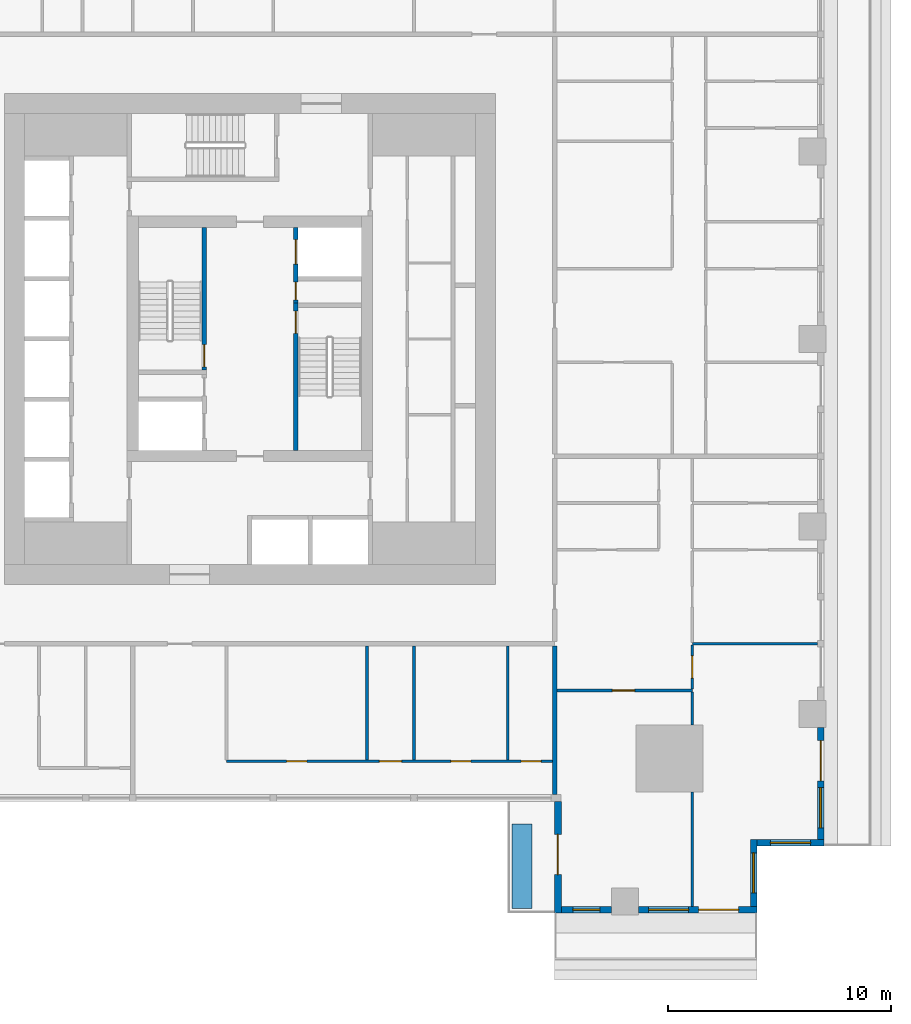
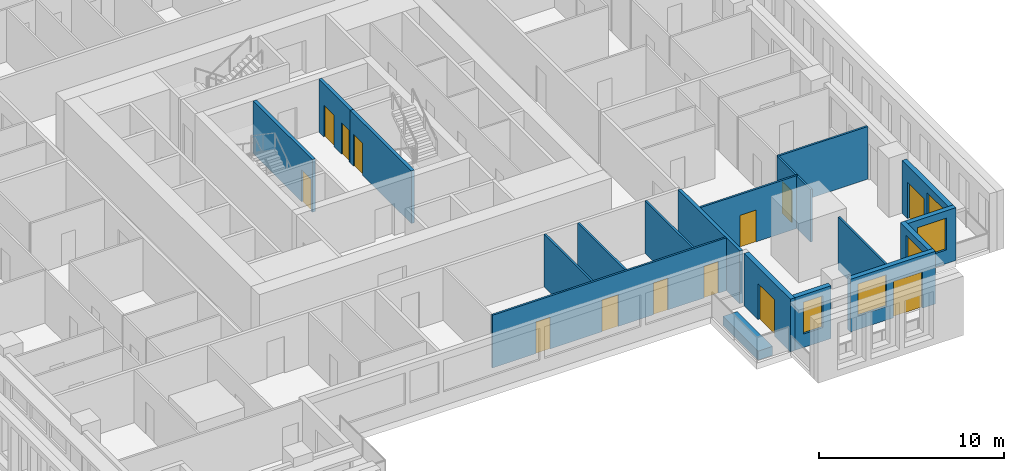
# One storey, part 4 of 14: 20 walls, 13 doors, 5 windows, 18 openings.
"""IFC4 building model written with IfcOpenShell, lengths in metres."""

import ifcopenshell
import ifcopenshell.guid

model = None  # the IFC model being written
_history = None  # IfcOwnerHistory: only IFC2X3 demands one
_inside = {}  # id of a spatial element -> (the spatial element, [elements in it])
_under = {}  # id of a project, library or spatial element -> (it, [spatial elements below it])
_declared = {}  # id of a project -> (the project, [libraries it declares])
_typed = {}  # id of a type object -> (the type object, [elements of that type])
_made_of = {}  # id of a material, layer set ... -> (it, [elements and type objects made of it])


def new_model(schema):
    """Start an empty IFC model of exactly this schema.

    Asked for "IFC4X3", IfcOpenShell would pick the latest addendum, in which some entities
    have other attributes; the version numbers below select the first issue.
    IFC2X3 requires an IfcOwnerHistory on every rooted entity: one is made here for all.
    """
    global model, _history
    if schema == "IFC4X3":
        model = ifcopenshell.file(schema_version=(4, 3, 0, 0))
    else:
        model = ifcopenshell.file(schema=schema)
    _inside.clear()
    _under.clear()
    _declared.clear()
    _typed.clear()
    _made_of.clear()
    _history = None
    if model.schema == "IFC2X3":
        org = make("IfcOrganization", Name="unknown")
        user = make(
            "IfcPersonAndOrganization",
            ThePerson=make("IfcPerson", FamilyName="unknown"),
            TheOrganization=org,
        )
        app = make(
            "IfcApplication",
            ApplicationDeveloper=org,
            Version="unknown",
            ApplicationFullName="unknown",
            ApplicationIdentifier="unknown",
        )
        _history = make(
            "IfcOwnerHistory",
            OwningUser=user,
            OwningApplication=app,
            ChangeAction="ADDED",
            CreationDate=0,
        )
    return model


def make(cls, **values):
    """One entity of the class cls with the attributes given. An attribute that is None is left unset."""
    return model.create_entity(
        cls, **{name: value for name, value in values.items() if value is not None}
    )


def rooted(cls, **values):
    """An entity with a GlobalId (a new one), such as an element, a storey or a relation."""
    return make(cls, GlobalId=ifcopenshell.guid.new(), OwnerHistory=_history, **values)


def si_unit(unit_type, name, prefix=None):
    """IfcSIUnit, for example si_unit("LENGTHUNIT", "METRE", prefix="MILLI")."""
    return make("IfcSIUnit", UnitType=unit_type, Prefix=prefix, Name=name)


def assignment(units):
    """IfcUnitAssignment: the units of a project."""
    return None if units is None else make("IfcUnitAssignment", Units=units)


def point(xyz):
    """IfcCartesianPoint."""
    return None if xyz is None else make("IfcCartesianPoint", Coordinates=xyz)


def direction(xyz):
    """IfcDirection."""
    return None if xyz is None else make("IfcDirection", DirectionRatios=xyz)


def frame(location, z_axis=None, x_axis=None):
    """IfcAxis2Placement3D, a coordinate frame: its origin and axes. An axis left out is left unset."""
    return make(
        "IfcAxis2Placement3D",
        Location=point(location),
        Axis=direction(z_axis),
        RefDirection=direction(x_axis),
    )


def frame_2d(location, x_axis=None):
    """IfcAxis2Placement2D, a coordinate frame in the plane: its origin and x axis."""
    return make(
        "IfcAxis2Placement2D", Location=point(location), RefDirection=direction(x_axis)
    )


def origin():
    """The frame at (0, 0, 0) with its axes left unset."""
    return frame((0.0, 0.0, 0.0))


def place(relative_to, where):
    """IfcLocalPlacement: puts the frame where relative to a parent placement (None: the world)."""
    return make(
        "IfcLocalPlacement", PlacementRelTo=relative_to, RelativePlacement=where
    )


def context(
    kind, dimensions, precision=None, world=None, true_north=None, identifier=None
):
    """IfcGeometricRepresentationContext, for example the 3D "Model" context."""
    return make(
        "IfcGeometricRepresentationContext",
        ContextIdentifier=identifier,
        ContextType=kind,
        CoordinateSpaceDimension=dimensions,
        Precision=precision,
        WorldCoordinateSystem=world,
        TrueNorth=true_north,
    )


def subcontext(parent, identifier, kind, view, scale=None):
    """IfcGeometricRepresentationSubContext, for example "Body" below "Model"."""
    return make(
        "IfcGeometricRepresentationSubContext",
        ContextIdentifier=identifier,
        ContextType=kind,
        ParentContext=parent,
        TargetScale=scale,
        TargetView=view,
    )


def project(units=None, contexts=None):
    """IfcProject with its units and contexts."""
    return rooted(
        "IfcProject",
        Name="project",
        RepresentationContexts=contexts,
        UnitsInContext=assignment(units),
    )


def spatial(cls, under=None, at=None, **own):
    """A site, building, storey or space (cls), placed at a placement, below another one or the project."""
    s = rooted(cls, ObjectPlacement=at, **own)
    if under is not None:
        _under.setdefault(under.id(), (under, []))[1].append(s)
    return s


def profile(cls, at=None, kind="AREA", **sizes):
    """A parametric profile (cls). Its sizes go by their IFC names, for example OverallWidth=200.0."""
    return make(cls, ProfileType=kind, Position=at, **sizes)


def rectangle(**sizes):
    """IfcRectangleProfileDef."""
    return profile("IfcRectangleProfileDef", **sizes)


def extrude(swept, where, along, depth):
    """IfcExtrudedAreaSolid: the profile swept, set in the frame where, extruded along a direction by depth."""
    return make(
        "IfcExtrudedAreaSolid",
        SweptArea=swept,
        Position=where,
        ExtrudedDirection=direction(along),
        Depth=depth,
    )


def shape(context_of_items, identifier, shape_type, items):
    """IfcShapeRepresentation: the items that make up one representation, for example the "Body"."""
    return make(
        "IfcShapeRepresentation",
        ContextOfItems=context_of_items,
        RepresentationIdentifier=identifier,
        RepresentationType=shape_type,
        Items=items,
    )


def material(Name=None, Category=None):
    """IfcMaterial."""
    return make("IfcMaterial", Name=Name, Category=Category)


def layer(
    of_material, thickness, ventilated=None, Name=None, Category=None, Priority=None
):
    """IfcMaterialLayer: one layer of a wall or slab, of a material (None: an air gap)."""
    return make(
        "IfcMaterialLayer",
        Material=of_material,
        LayerThickness=thickness,
        IsVentilated=ventilated,
        Name=Name,
        Category=Category,
        Priority=Priority,
    )


def layer_set(layers, Name=None):
    """IfcMaterialLayerSet."""
    return make("IfcMaterialLayerSet", MaterialLayers=layers, LayerSetName=Name)


def made_of(thing, what):
    """Note that an element or type object is made of a material, layer set ...; save() writes the relation."""
    if what is not None:
        _made_of.setdefault(what.id(), (what, []))[1].append(thing)
    return thing


def type_object(cls, material=None, **own):
    """A type object (cls), such as IfcWallType, which elements share."""
    return made_of(rooted(cls, **own), material)


def element(
    cls,
    number,
    at=None,
    inside=None,
    cuts=None,
    type_object=None,
    material=None,
    context=None,
    identifier="Body",
    shape_type=None,
    held_by="IfcProductDefinitionShape",
    body=None,
    shapes=None,
    **own,
):
    """One element of the class cls, such as IfcWall. Its Tag is "e" and its number.

    at: its placement. inside: the storey or other place that contains it. cuts: it is an
    opening in that element (IfcRelVoidsElement). A single representation is given by context,
    identifier, shape_type and body (its items); several are given by shapes. held_by: the class
    of the entity that holds the representations. save() writes the other relations.
    """
    e = rooted(cls, Tag="e%d" % number, ObjectPlacement=at, **own)
    if body is not None:
        shapes = [shape(context, identifier, shape_type, body)]
    if shapes is not None:
        e.Representation = make(held_by, Representations=shapes)
    if inside is not None:
        _inside.setdefault(inside.id(), (inside, []))[1].append(e)
    if cuts is not None:
        rooted(
            "IfcRelVoidsElement", RelatingBuildingElement=cuts, RelatedOpeningElement=e
        )
    if type_object is not None:
        _typed.setdefault(type_object.id(), (type_object, []))[1].append(e)
    return made_of(e, material)


def fill(opening, filler):
    """IfcRelFillsElement: the door or window that sits in an opening."""
    return rooted(
        "IfcRelFillsElement",
        RelatingOpeningElement=opening,
        RelatedBuildingElement=filler,
    )


def aggregate(whole, parts):
    """IfcRelAggregates: a whole, such as a stair, and the parts it consists of."""
    return rooted("IfcRelAggregates", RelatingObject=whole, RelatedObjects=parts)


def save(model, path):
    """Write the relations noted so far, then the file.

    IfcRelAggregates (storeys below a building ...), IfcRelContainedInSpatialStructure (elements
    in a storey), IfcRelDefinesByType, IfcRelAssociatesMaterial and IfcRelDeclares: one each for
    every whole, place, type object, material and project.
    """
    for whole, parts in _under.values():
        aggregate(whole, parts)
    for where, things in _inside.values():
        rooted(
            "IfcRelContainedInSpatialStructure",
            RelatedElements=things,
            RelatingStructure=where,
        )
    for kind, things in _typed.values():
        rooted("IfcRelDefinesByType", RelatedObjects=things, RelatingType=kind)
    for what, things in _made_of.values():
        rooted("IfcRelAssociatesMaterial", RelatedObjects=things, RelatingMaterial=what)
    for by, libraries in _declared.values():
        rooted("IfcRelDeclares", RelatingContext=by, RelatedDefinitions=libraries)
    model.write(path)


model = new_model("IFC4")

# Units and contexts
model_context = context("Model", 3, precision=1e-05, world=origin(), true_north=direction((0.0, 1.0)))
body_context = subcontext(model_context, "Body", "Model", "MODEL_VIEW")
ifc_project = project(units=[si_unit("LENGTHUNIT", "METRE"), si_unit("AREAUNIT", "SQUARE_METRE"), si_unit("VOLUMEUNIT", "CUBIC_METRE"), si_unit("PLANEANGLEUNIT", "RADIAN"), si_unit("MASSUNIT", "GRAM", prefix="KILO")], contexts=[model_context])

# Site, building, storey
site_placement = place(None, origin())
site = spatial("IfcSite", under=ifc_project, at=site_placement, CompositionType="ELEMENT")
building_placement = place(site_placement, origin())
building = spatial("IfcBuilding", under=site, at=building_placement, Name="Khepri Terraces", CompositionType="ELEMENT")
storey_placement = place(building_placement, frame((0.0, 0.0, 66.0)))
storey = spatial("IfcBuildingStorey", under=building, at=storey_placement, Name="L15", CompositionType="ELEMENT", Elevation=66.0)

# Wall, opening, door
ifc_material_1 = material(Name="Concrete C80/95", Category="concrete")
ifc_layer_1 = layer(ifc_material_1, 0.199951171875, Name="Concrete C80/95", Category="concrete")
ifc_layer_set_1 = layer_set([ifc_layer_1], Name="Concrete C80/95")
wall_type_1 = type_object("IfcWallType", Name="Core wall 200 C80/95", PredefinedType="SHEAR", material=ifc_layer_set_1)
wall_1_placement = place(storey_placement, frame((2.050048828125, -5.0, 0.0), z_axis=(0.0, 0.0, 1.0), x_axis=(0.0, 1.0, 0.0)))
wall_1 = element("IfcWall", 1, at=wall_1_placement, inside=storey, type_object=wall_type_1, Name="Core wall ST01 L15", PredefinedType="SHEAR", context=body_context, shape_type="SweptSolid", body=[
    extrude(rectangle(XDim=6.60009765625, YDim=0.199951171875, at=frame_2d((3.300048828125, 0.0))), origin(), (0.0, 0.0, 1.0), 3.47998046875),
])
opening_1_placement = place(wall_1_placement, frame((5.25, 0.0, 0.0)))
opening_1 = element("IfcOpeningElement", 2, at=opening_1_placement, cuts=wall_1, Name="Opening L15-C10", PredefinedType="OPENING", context=body_context, shape_type="SweptSolid", body=[
    extrude(rectangle(XDim=1.0, YDim=2.10009765625, at=frame_2d((0.5, 1.050048828125))), frame((0.0, 0.10986328125, 0.0), z_axis=(0.0, -1.0, 0.0), x_axis=(1.0, 0.0, 0.0)), (0.0, 0.0, 1.0), 0.219970703125),
])
ifc_material_2 = material(Name="Painted steel", Category="steel")
door_type_1 = type_object("IfcDoorType", Name="DR-CORE-STAIR-1000", OperationType="NOTDEFINED", PredefinedType="DOOR", material=ifc_material_2)
door_1_placement = place(opening_1_placement, frame((1.0, 0.0, 0.0), z_axis=(0.0, 0.0, 1.0), x_axis=(-1.0, 0.0, 0.0)))
door_1 = element("IfcDoor", 3, at=door_1_placement, inside=storey, type_object=door_type_1, Name="Stair door L15-C10", OperationType="SINGLE_SWING_LEFT", OverallHeight=2.10009765625, OverallWidth=1.0, PredefinedType="DOOR", context=body_context, shape_type="SweptSolid", body=[
    extrude(rectangle(XDim=1.0, YDim=2.10009765625, at=frame_2d((0.5, 1.050048828125))), frame((0.0, 0.02490234375, 0.0), z_axis=(0.0, -1.0, 0.0), x_axis=(1.0, 0.0, 0.0)), (0.0, 0.0, 1.0), 0.050048828125),
])
fill(opening_1, door_1)

wall_2_placement = place(storey_placement, frame((-2.050048828125, -1.39990234375, 0.0), z_axis=(0.0, 0.0, 1.0), x_axis=(0.0, 1.0, 0.0)))
wall_2 = element("IfcWall", 4, at=wall_2_placement, inside=storey, type_object=wall_type_1, Name="Core wall ST03 L15", PredefinedType="SHEAR", context=body_context, shape_type="SweptSolid", body=[
    extrude(rectangle(XDim=6.39990234375, YDim=0.199951171875, at=frame_2d((3.199951171875, 0.0))), origin(), (0.0, 0.0, 1.0), 3.47998046875),
])
opening_2_placement = place(wall_2_placement, frame((0.14990234375, 0.0, 0.0)))
opening_2 = element("IfcOpeningElement", 5, at=opening_2_placement, cuts=wall_2, Name="Opening L15-C09", PredefinedType="OPENING", context=body_context, shape_type="SweptSolid", body=[
    extrude(rectangle(XDim=1.0, YDim=2.10009765625, at=frame_2d((0.5, 1.050048828125))), frame((0.0, 0.10986328125, 0.0), z_axis=(0.0, -1.0, 0.0), x_axis=(1.0, 0.0, 0.0)), (0.0, 0.0, 1.0), 0.219970703125),
])
door_2_placement = place(opening_2_placement, origin())
door_2 = element("IfcDoor", 6, at=door_2_placement, inside=storey, type_object=door_type_1, Name="Stair door L15-C09", OperationType="SINGLE_SWING_LEFT", OverallHeight=2.10009765625, OverallWidth=1.0, PredefinedType="DOOR", context=body_context, shape_type="SweptSolid", body=[
    extrude(rectangle(XDim=1.0, YDim=2.10009765625, at=frame_2d((0.5, 1.050048828125))), frame((0.0, 0.02490234375, 0.0), z_axis=(0.0, -1.0, 0.0), x_axis=(1.0, 0.0, 0.0)), (0.0, 0.0, 1.0), 0.050048828125),
])
fill(opening_2, door_2)

# Wall, openings, doors
wall_3_placement = place(storey_placement, frame((2.050048828125, 1.60009765625, 0.0), z_axis=(0.0, 0.0, 1.0), x_axis=(0.0, 1.0, 0.0)))
wall_3 = element("IfcWall", 7, at=wall_3_placement, inside=storey, type_object=wall_type_1, Name="Core wall SH15 L15", PredefinedType="SHEAR", context=body_context, shape_type="SweptSolid", body=[
    extrude(rectangle(XDim=3.39990234375, YDim=0.199951171875, at=frame_2d((1.699951171875, 0.0))), origin(), (0.0, 0.0, 1.0), 3.47998046875),
])
opening_3_placement = place(wall_3_placement, frame((1.75, 0.0, 0.0)))
opening_3 = element("IfcOpeningElement", 8, at=opening_3_placement, cuts=wall_3, Name="Opening L15-C07", PredefinedType="OPENING", context=body_context, shape_type="SweptSolid", body=[
    extrude(rectangle(XDim=1.10009765625, YDim=2.10009765625, at=frame_2d((0.550048828125, 1.050048828125))), frame((0.0, 0.10986328125, 0.0), z_axis=(0.0, -1.0, 0.0), x_axis=(1.0, 0.0, 0.0)), (0.0, 0.0, 1.0), 0.219970703125),
])
opening_4_placement = place(wall_3_placement, frame((0.14990234375, 0.0, 0.0)))
opening_4 = element("IfcOpeningElement", 9, at=opening_4_placement, cuts=wall_3, Name="Opening L15-C11", PredefinedType="OPENING", context=body_context, shape_type="SweptSolid", body=[
    extrude(rectangle(XDim=0.800048828125, YDim=2.10009765625, at=frame_2d((0.39990234375, 1.050048828125))), frame((0.0, 0.10986328125, 0.0), z_axis=(0.0, -1.0, 0.0), x_axis=(1.0, 0.0, 0.0)), (0.0, 0.0, 1.0), 0.219970703125),
])
ifc_material_3 = material(Name="Stainless steel 304", Category="steel")
door_type_2 = type_object("IfcDoorType", Name="DR-CORE-FF-LANDING-1100", OperationType="NOTDEFINED", PredefinedType="DOOR", material=ifc_material_3)
door_3_placement = place(opening_3_placement, origin())
door_3 = element("IfcDoor", 10, at=door_3_placement, inside=storey, type_object=door_type_2, Name="Firefighting lift landing door L15-C07", OperationType="SLIDING_TO_LEFT", OverallHeight=2.10009765625, OverallWidth=1.10009765625, PredefinedType="DOOR", context=body_context, shape_type="SweptSolid", body=[
    extrude(rectangle(XDim=1.10009765625, YDim=2.10009765625, at=frame_2d((0.550048828125, 1.050048828125))), frame((0.0, 0.02490234375, 0.0), z_axis=(0.0, -1.0, 0.0), x_axis=(1.0, 0.0, 0.0)), (0.0, 0.0, 1.0), 0.050048828125),
])
fill(opening_3, door_3)
door_type_3 = type_object("IfcDoorType", Name="DR-CORE-RISER-800", OperationType="NOTDEFINED", PredefinedType="DOOR", material=ifc_material_2)
door_4_placement = place(opening_4_placement, frame((0.800048828125, 0.0, 0.0), z_axis=(0.0, 0.0, 1.0), x_axis=(-1.0, 0.0, 0.0)))
door_4 = element("IfcDoor", 11, at=door_4_placement, inside=storey, type_object=door_type_3, Name="Riser door L15-C11", OperationType="SINGLE_SWING_RIGHT", OverallHeight=2.10009765625, OverallWidth=0.800048828125, PredefinedType="DOOR", context=body_context, shape_type="SweptSolid", body=[
    extrude(rectangle(XDim=0.800048828125, YDim=2.10009765625, at=frame_2d((0.39990234375, 1.050048828125))), frame((0.0, 0.02490234375, 0.0), z_axis=(0.0, -1.0, 0.0), x_axis=(1.0, 0.0, 0.0)), (0.0, 0.0, 1.0), 0.050048828125),
])
fill(opening_4, door_4)

# Wall
ifc_material_4 = material(Name="Fire-rated gypsum plasterboard partition, mineral wool")
ifc_layer_2 = layer(ifc_material_4, 0.199951171875, Name="Fire-rated gypsum plasterboard partition, mineral wool")
ifc_layer_set_2 = layer_set([ifc_layer_2], Name="Fire-rated gypsum plasterboard partition, mineral wool")
wall_type_2 = type_object("IfcWallType", Name="WL-CORR-200", PredefinedType="PARTITIONING", material=ifc_layer_set_2)
wall_4_placement = place(storey_placement, frame((13.64990234375, -20.419921875, 0.0), z_axis=(0.0, 0.0, 1.0), x_axis=(0.0, 1.0, 0.0)))
element("IfcWall", 12, at=wall_4_placement, inside=storey, type_object=wall_type_2, Name="Partition P-004 L15", PredefinedType="PARTITIONING", context=body_context, shape_type="SweptSolid", body=[
    extrude(rectangle(XDim=6.669921875, YDim=0.199951171875, at=frame_2d((3.3349609375, 0.0))), origin(), (0.0, 0.0, 1.0), 3.47998046875),
])

# Wall, opening, window
ifc_material_5 = material(Name="Precast concrete C50/60 warm stone", Category="masonry")
ifc_layer_3 = layer(ifc_material_5, 0.300048828125, Name="Precast concrete C50/60 warm stone", Category="masonry")
ifc_layer_set_3 = layer_set([ifc_layer_3], Name="Precast concrete C50/60 warm stone")
wall_type_3 = type_object("IfcWallType", Name="WL-EXT-PRECAST-300", PredefinedType="STANDARD", material=ifc_layer_set_3)
wall_5_placement = place(storey_placement, frame((22.719970703125, -22.570068359375, 0.0), z_axis=(0.0, 0.0, 1.0), x_axis=(1.0, 0.0, 0.0)))
wall_5 = element("IfcWall", 13, at=wall_5_placement, inside=storey, type_object=wall_type_3, Name="External wall L15 S", PredefinedType="STANDARD", context=body_context, shape_type="SweptSolid", body=[
    extrude(rectangle(XDim=3.0, YDim=0.300048828125, at=frame_2d((1.5, 0.0))), origin(), (0.0, 0.0, 1.0), 3.47998046875),
])
opening_5_placement = place(wall_5_placement, frame((0.60009765625, 0.0, 0.89990234375)))
opening_5 = element("IfcOpeningElement", 14, at=opening_5_placement, cuts=wall_5, Name="Opening W1", PredefinedType="OPENING", context=body_context, shape_type="SweptSolid", body=[
    extrude(rectangle(XDim=1.800048828125, YDim=2.10009765625, at=frame_2d((0.89990234375, 1.050048828125))), frame((0.0, 0.16015625, 0.0), z_axis=(0.0, -1.0, 0.0), x_axis=(1.0, 0.0, 0.0)), (0.0, 0.0, 1.0), 0.320068359375),
])
ifc_material_6 = material(Name="Clear glass", Category="glass")
window_type_1 = type_object("IfcWindowType", Name="WIN-RES-1800x2100", PartitioningType="SINGLE_PANEL", PredefinedType="WINDOW", material=ifc_material_6)
window_1_placement = place(opening_5_placement, origin())
window_1 = element("IfcWindow", 15, at=window_1_placement, inside=storey, type_object=window_type_1, Name="Window L15 S", OverallHeight=2.10009765625, OverallWidth=1.800048828125, PartitioningType="SINGLE_PANEL", PredefinedType="WINDOW", context=body_context, shape_type="SweptSolid", body=[
    extrude(rectangle(XDim=1.800048828125, YDim=2.10009765625, at=frame_2d((0.89990234375, 1.050048828125))), frame((0.0, 0.030029296875, 0.0), z_axis=(0.0, -1.0, 0.0), x_axis=(1.0, 0.0, 0.0)), (0.0, 0.0, 1.0), 0.06005859375),
])
fill(opening_5, window_1)

# Wall, openings, door, window
wall_6_placement = place(storey_placement, frame((25.570068359375, -22.419921875, 0.0), z_axis=(0.0, 0.0, 1.0), x_axis=(0.0, 1.0, 0.0)))
wall_6 = element("IfcWall", 16, at=wall_6_placement, inside=storey, type_object=wall_type_3, Name="External wall L15 E", PredefinedType="STANDARD", context=body_context, shape_type="SweptSolid", body=[
    extrude(rectangle(XDim=5.02001953125, YDim=0.300048828125, at=frame_2d((2.510009765625, 0.0))), origin(), (0.0, 0.0, 1.0), 3.47998046875),
])
opening_6_placement = place(wall_6_placement, frame((0.52001953125, 0.0, 0.89990234375)))
opening_6 = element("IfcOpeningElement", 17, at=opening_6_placement, cuts=wall_6, Name="Opening W1", PredefinedType="OPENING", context=body_context, shape_type="SweptSolid", body=[
    extrude(rectangle(XDim=1.800048828125, YDim=2.10009765625, at=frame_2d((0.89990234375, 1.050048828125))), frame((0.0, 0.16015625, 0.0), z_axis=(0.0, -1.0, 0.0), x_axis=(1.0, 0.0, 0.0)), (0.0, 0.0, 1.0), 0.320068359375),
])
opening_7_placement = place(wall_6_placement, frame((2.6201171875, 0.0, 0.0)))
opening_7 = element("IfcOpeningElement", 18, at=opening_7_placement, cuts=wall_6, Name="Opening ED-L15-01", PredefinedType="OPENING", context=body_context, shape_type="SweptSolid", body=[
    extrude(rectangle(XDim=1.800048828125, YDim=2.39990234375, at=frame_2d((0.89990234375, 1.199951171875))), frame((0.0, 0.16015625, 0.0), z_axis=(0.0, -1.0, 0.0), x_axis=(1.0, 0.0, 0.0)), (0.0, 0.0, 1.0), 0.320068359375),
])
ifc_material_7 = material(Name="Anodised aluminium bronze glazed door", Category="aluminium")
door_type_4 = type_object("IfcDoorType", Name="DR-BAL-SLIDE-1800x2400", OperationType="NOTDEFINED", PredefinedType="DOOR", material=ifc_material_7)
door_5_placement = place(opening_7_placement, origin())
door_5 = element("IfcDoor", 19, at=door_5_placement, inside=storey, type_object=door_type_4, Name="Balcony door L15 E", OperationType="SLIDING_TO_RIGHT", OverallHeight=2.39990234375, OverallWidth=1.800048828125, PredefinedType="DOOR", context=body_context, shape_type="SweptSolid", body=[
    extrude(rectangle(XDim=1.800048828125, YDim=2.39990234375, at=frame_2d((0.89990234375, 1.199951171875))), frame((0.0, 0.02490234375, 0.0), z_axis=(0.0, -1.0, 0.0), x_axis=(1.0, 0.0, 0.0)), (0.0, 0.0, 1.0), 0.050048828125),
])
fill(opening_7, door_5)
window_2_placement = place(opening_6_placement, origin())
window_2 = element("IfcWindow", 20, at=window_2_placement, inside=storey, type_object=window_type_1, Name="Window L15 E", OverallHeight=2.10009765625, OverallWidth=1.800048828125, PartitioningType="SINGLE_PANEL", PredefinedType="WINDOW", context=body_context, shape_type="SweptSolid", body=[
    extrude(rectangle(XDim=1.800048828125, YDim=2.10009765625, at=frame_2d((0.89990234375, 1.050048828125))), frame((0.0, 0.030029296875, 0.0), z_axis=(0.0, -1.0, 0.0), x_axis=(1.0, 0.0, 0.0)), (0.0, 0.0, 1.0), 0.06005859375),
])
fill(opening_6, window_2)

# Wall, opening, door
wall_7_placement = place(storey_placement, frame((13.800048828125, -20.719970703125, 0.0), z_axis=(0.0, 0.0, 1.0), x_axis=(0.0, -1.0, 0.0)))
wall_7 = element("IfcWall", 21, at=wall_7_placement, inside=storey, type_object=wall_type_3, Name="External wall L15 W", PredefinedType="STANDARD", context=body_context, shape_type="SweptSolid", body=[
    extrude(rectangle(XDim=5.0, YDim=0.300048828125, at=frame_2d((2.5, 0.0))), origin(), (0.0, 0.0, 1.0), 3.47998046875),
])
opening_8_placement = place(wall_7_placement, frame((1.47998046875, 0.0, 0.0)))
opening_8 = element("IfcOpeningElement", 22, at=opening_8_placement, cuts=wall_7, Name="Opening ED-L15-22", PredefinedType="OPENING", context=body_context, shape_type="SweptSolid", body=[
    extrude(rectangle(XDim=1.800048828125, YDim=2.39990234375, at=frame_2d((0.89990234375, 1.199951171875))), frame((0.0, 0.16015625, 0.0), z_axis=(0.0, -1.0, 0.0), x_axis=(1.0, 0.0, 0.0)), (0.0, 0.0, 1.0), 0.320068359375),
])
door_6_placement = place(opening_8_placement, origin())
door_6 = element("IfcDoor", 23, at=door_6_placement, inside=storey, type_object=door_type_4, Name="Balcony door L15 W", OperationType="SLIDING_TO_RIGHT", OverallHeight=2.39990234375, OverallWidth=1.800048828125, PredefinedType="DOOR", context=body_context, shape_type="SweptSolid", body=[
    extrude(rectangle(XDim=1.800048828125, YDim=2.39990234375, at=frame_2d((0.89990234375, 1.199951171875))), frame((0.0, 0.02490234375, 0.0), z_axis=(0.0, -1.0, 0.0), x_axis=(1.0, 0.0, 0.0)), (0.0, 0.0, 1.0), 0.050048828125),
])
fill(opening_8, door_6)

# Wall, opening, window
wall_8_placement = place(storey_placement, frame((13.949951171875, -25.570068359375, 0.0), z_axis=(0.0, 0.0, 1.0), x_axis=(1.0, 0.0, 0.0)))
wall_8 = element("IfcWall", 24, at=wall_8_placement, inside=storey, type_object=wall_type_3, Name="External wall L15 S", PredefinedType="STANDARD", context=body_context, shape_type="SweptSolid", body=[
    extrude(rectangle(XDim=2.25, YDim=0.300048828125, at=frame_2d((1.125, 0.0))), origin(), (0.0, 0.0, 1.0), 3.47998046875),
])
opening_9_placement = place(wall_8_placement, frame((0.52490234375, 0.0, 0.89990234375)))
opening_9 = element("IfcOpeningElement", 25, at=opening_9_placement, cuts=wall_8, Name="Opening W4", PredefinedType="OPENING", context=body_context, shape_type="SweptSolid", body=[
    extrude(rectangle(XDim=1.199951171875, YDim=2.10009765625, at=frame_2d((0.60009765625, 1.050048828125))), frame((0.0, 0.16015625, 0.0), z_axis=(0.0, -1.0, 0.0), x_axis=(1.0, 0.0, 0.0)), (0.0, 0.0, 1.0), 0.320068359375),
])
window_type_2 = type_object("IfcWindowType", Name="WIN-RES-1200x2100", PartitioningType="SINGLE_PANEL", PredefinedType="WINDOW", material=ifc_material_6)
window_3_placement = place(opening_9_placement, origin())
window_3 = element("IfcWindow", 26, at=window_3_placement, inside=storey, type_object=window_type_2, Name="Window L15 S", OverallHeight=2.10009765625, OverallWidth=1.199951171875, PartitioningType="SINGLE_PANEL", PredefinedType="WINDOW", context=body_context, shape_type="SweptSolid", body=[
    extrude(rectangle(XDim=1.199951171875, YDim=2.10009765625, at=frame_2d((0.60009765625, 1.050048828125))), frame((0.0, 0.030029296875, 0.0), z_axis=(0.0, -1.0, 0.0), x_axis=(1.0, 0.0, 0.0)), (0.0, 0.0, 1.0), 0.06005859375),
])
fill(opening_9, window_3)

# Wall, openings, door, window
wall_9_placement = place(storey_placement, frame((17.39990234375, -25.570068359375, 0.0), z_axis=(0.0, 0.0, 1.0), x_axis=(1.0, 0.0, 0.0)))
wall_9 = element("IfcWall", 27, at=wall_9_placement, inside=storey, type_object=wall_type_3, Name="External wall L15 S", PredefinedType="STANDARD", context=body_context, shape_type="SweptSolid", body=[
    extrude(rectangle(XDim=5.320068359375, YDim=0.300048828125, at=frame_2d((2.66015625, 0.0))), origin(), (0.0, 0.0, 1.0), 3.47998046875),
])
opening_10_placement = place(wall_9_placement, frame((2.699951171875, 0.0, 0.0)))
opening_10 = element("IfcOpeningElement", 28, at=opening_10_placement, cuts=wall_9, Name="Opening ED-L15-23", PredefinedType="OPENING", context=body_context, shape_type="SweptSolid", body=[
    extrude(rectangle(XDim=1.800048828125, YDim=2.39990234375, at=frame_2d((0.89990234375, 1.199951171875))), frame((0.0, 0.16015625, 0.0), z_axis=(0.0, -1.0, 0.0), x_axis=(1.0, 0.0, 0.0)), (0.0, 0.0, 1.0), 0.320068359375),
])
opening_11_placement = place(wall_9_placement, frame((0.4599609375, 0.0, 0.89990234375)))
opening_11 = element("IfcOpeningElement", 29, at=opening_11_placement, cuts=wall_9, Name="Opening W1", PredefinedType="OPENING", context=body_context, shape_type="SweptSolid", body=[
    extrude(rectangle(XDim=1.800048828125, YDim=2.10009765625, at=frame_2d((0.89990234375, 1.050048828125))), frame((0.0, 0.16015625, 0.0), z_axis=(0.0, -1.0, 0.0), x_axis=(1.0, 0.0, 0.0)), (0.0, 0.0, 1.0), 0.320068359375),
])
door_7_placement = place(opening_10_placement, origin())
door_7 = element("IfcDoor", 30, at=door_7_placement, inside=storey, type_object=door_type_4, Name="Balcony door L15 S", OperationType="SLIDING_TO_LEFT", OverallHeight=2.39990234375, OverallWidth=1.800048828125, PredefinedType="DOOR", context=body_context, shape_type="SweptSolid", body=[
    extrude(rectangle(XDim=1.800048828125, YDim=2.39990234375, at=frame_2d((0.89990234375, 1.199951171875))), frame((0.0, 0.02490234375, 0.0), z_axis=(0.0, -1.0, 0.0), x_axis=(1.0, 0.0, 0.0)), (0.0, 0.0, 1.0), 0.050048828125),
])
fill(opening_10, door_7)
window_4_placement = place(opening_11_placement, origin())
window_4 = element("IfcWindow", 31, at=window_4_placement, inside=storey, type_object=window_type_1, Name="Window L15 S", OverallHeight=2.10009765625, OverallWidth=1.800048828125, PartitioningType="SINGLE_PANEL", PredefinedType="WINDOW", context=body_context, shape_type="SweptSolid", body=[
    extrude(rectangle(XDim=1.800048828125, YDim=2.10009765625, at=frame_2d((0.89990234375, 1.050048828125))), frame((0.0, 0.030029296875, 0.0), z_axis=(0.0, -1.0, 0.0), x_axis=(1.0, 0.0, 0.0)), (0.0, 0.0, 1.0), 0.06005859375),
])
fill(opening_11, window_4)

# Wall, opening, window
wall_10_placement = place(storey_placement, frame((22.570068359375, -25.419921875, 0.0), z_axis=(0.0, 0.0, 1.0), x_axis=(0.0, 1.0, 0.0)))
wall_10 = element("IfcWall", 32, at=wall_10_placement, inside=storey, type_object=wall_type_3, Name="External wall L15 E", PredefinedType="STANDARD", context=body_context, shape_type="SweptSolid", body=[
    extrude(rectangle(XDim=3.0, YDim=0.300048828125, at=frame_2d((1.5, 0.0))), origin(), (0.0, 0.0, 1.0), 3.47998046875),
])
opening_12_placement = place(wall_10_placement, frame((0.60009765625, 0.0, 0.89990234375)))
opening_12 = element("IfcOpeningElement", 33, at=opening_12_placement, cuts=wall_10, Name="Opening W1", PredefinedType="OPENING", context=body_context, shape_type="SweptSolid", body=[
    extrude(rectangle(XDim=1.800048828125, YDim=2.10009765625, at=frame_2d((0.89990234375, 1.050048828125))), frame((0.0, 0.16015625, 0.0), z_axis=(0.0, -1.0, 0.0), x_axis=(1.0, 0.0, 0.0)), (0.0, 0.0, 1.0), 0.320068359375),
])
window_5_placement = place(opening_12_placement, origin())
window_5 = element("IfcWindow", 34, at=window_5_placement, inside=storey, type_object=window_type_1, Name="Window L15 E", OverallHeight=2.10009765625, OverallWidth=1.800048828125, PartitioningType="SINGLE_PANEL", PredefinedType="WINDOW", context=body_context, shape_type="SweptSolid", body=[
    extrude(rectangle(XDim=1.800048828125, YDim=2.10009765625, at=frame_2d((0.89990234375, 1.050048828125))), frame((0.0, 0.030029296875, 0.0), z_axis=(0.0, -1.0, 0.0), x_axis=(1.0, 0.0, 0.0)), (0.0, 0.0, 1.0), 0.06005859375),
])
fill(opening_12, window_5)

# Wall
ifc_material_8 = material(Name="Gypsum plasterboard partition")
ifc_layer_4 = layer(ifc_material_8, 0.1201171875, Name="Gypsum plasterboard partition")
ifc_layer_set_4 = layer_set([ifc_layer_4], Name="Gypsum plasterboard partition")
wall_type_4 = type_object("IfcWallType", Name="WL-PART-120", PredefinedType="PARTITIONING", material=ifc_layer_set_4)
wall_11_placement = place(storey_placement, frame((19.820068359375, -25.419921875, 0.0), z_axis=(0.0, 0.0, 1.0), x_axis=(0.0, 1.0, 0.0)))
element("IfcWall", 35, at=wall_11_placement, inside=storey, type_object=wall_type_4, Name="Partition P-001 L15", PredefinedType="PARTITIONING", context=body_context, shape_type="SweptSolid", body=[
    extrude(rectangle(XDim=5.119873046875, YDim=0.1201171875, at=frame_2d((2.56005859375, 0.0))), origin(), (0.0, 0.0, 1.0), 3.47998046875),
])

# Wall, openings, doors
wall_12_placement = place(storey_placement, frame((-1.050048828125, -18.919921875, 0.0), z_axis=(0.0, 0.0, 1.0), x_axis=(1.0, 0.0, 0.0)))
wall_12 = element("IfcWall", 36, at=wall_12_placement, inside=storey, type_object=wall_type_4, Name="Partition P-010 L15", PredefinedType="PARTITIONING", context=body_context, shape_type="SweptSolid", body=[
    extrude(rectangle(XDim=14.60009765625, YDim=0.1201171875, at=frame_2d((7.300048828125, 0.0))), origin(), (0.0, 0.0, 1.0), 3.47998046875),
])
opening_13_placement = place(wall_12_placement, frame((2.699951171875, 0.0, 0.0)))
opening_13 = element("IfcOpeningElement", 37, at=opening_13_placement, cuts=wall_12, Name="Opening D3", PredefinedType="OPENING", context=body_context, shape_type="SweptSolid", body=[
    extrude(rectangle(XDim=0.89990234375, YDim=2.10009765625, at=frame_2d((0.449951171875, 1.050048828125))), frame((0.0, 0.070068359375, 0.0), z_axis=(0.0, -1.0, 0.0), x_axis=(1.0, 0.0, 0.0)), (0.0, 0.0, 1.0), 0.14013671875),
])
opening_14_placement = place(wall_12_placement, frame((6.85009765625, 0.0, 0.0)))
opening_14 = element("IfcOpeningElement", 38, at=opening_14_placement, cuts=wall_12, Name="Opening D2", PredefinedType="OPENING", context=body_context, shape_type="SweptSolid", body=[
    extrude(rectangle(XDim=1.0, YDim=2.10009765625, at=frame_2d((0.5, 1.050048828125))), frame((0.0, 0.070068359375, 0.0), z_axis=(0.0, -1.0, 0.0), x_axis=(1.0, 0.0, 0.0)), (0.0, 0.0, 1.0), 0.14013671875),
])
opening_15_placement = place(wall_12_placement, frame((10.050048828125, 0.0, 0.0)))
opening_15 = element("IfcOpeningElement", 39, at=opening_15_placement, cuts=wall_12, Name="Opening D3", PredefinedType="OPENING", context=body_context, shape_type="SweptSolid", body=[
    extrude(rectangle(XDim=0.89990234375, YDim=2.10009765625, at=frame_2d((0.449951171875, 1.050048828125))), frame((0.0, 0.070068359375, 0.0), z_axis=(0.0, -1.0, 0.0), x_axis=(1.0, 0.0, 0.0)), (0.0, 0.0, 1.0), 0.14013671875),
])
opening_16_placement = place(wall_12_placement, frame((13.199951171875, 0.0, 0.0)))
opening_16 = element("IfcOpeningElement", 40, at=opening_16_placement, cuts=wall_12, Name="Opening D4", PredefinedType="OPENING", context=body_context, shape_type="SweptSolid", body=[
    extrude(rectangle(XDim=0.89990234375, YDim=2.10009765625, at=frame_2d((0.449951171875, 1.050048828125))), frame((0.0, 0.070068359375, 0.0), z_axis=(0.0, -1.0, 0.0), x_axis=(1.0, 0.0, 0.0)), (0.0, 0.0, 1.0), 0.14013671875),
])
ifc_material_9 = material(Name="Timber door leaf, living room door", Category="wood")
door_type_5 = type_object("IfcDoorType", Name="DR-INT-1000", OperationType="NOTDEFINED", PredefinedType="DOOR", material=ifc_material_9)
door_8_placement = place(opening_14_placement, origin())
door_8 = element("IfcDoor", 41, at=door_8_placement, inside=storey, type_object=door_type_5, Name="Door Family Room", OperationType="SINGLE_SWING_RIGHT", OverallHeight=2.10009765625, OverallWidth=1.0, PredefinedType="DOOR", context=body_context, shape_type="SweptSolid", body=[
    extrude(rectangle(XDim=1.0, YDim=2.10009765625, at=frame_2d((0.5, 1.050048828125))), frame((0.0, 0.02490234375, 0.0), z_axis=(0.0, -1.0, 0.0), x_axis=(1.0, 0.0, 0.0)), (0.0, 0.0, 1.0), 0.050048828125),
])
fill(opening_14, door_8)
ifc_material_10 = material(Name="Timber door leaf", Category="wood")
door_type_6 = type_object("IfcDoorType", Name="DR-INT-900", OperationType="NOTDEFINED", PredefinedType="DOOR", material=ifc_material_10)
door_9_placement = place(opening_13_placement, origin())
door_9 = element("IfcDoor", 42, at=door_9_placement, inside=storey, type_object=door_type_6, Name="Door Kitchen", OperationType="SINGLE_SWING_LEFT", OverallHeight=2.10009765625, OverallWidth=0.89990234375, PredefinedType="DOOR", context=body_context, shape_type="SweptSolid", body=[
    extrude(rectangle(XDim=0.89990234375, YDim=2.10009765625, at=frame_2d((0.449951171875, 1.050048828125))), frame((0.0, 0.02490234375, 0.0), z_axis=(0.0, -1.0, 0.0), x_axis=(1.0, 0.0, 0.0)), (0.0, 0.0, 1.0), 0.050048828125),
])
fill(opening_13, door_9)
door_10_placement = place(opening_15_placement, origin())
door_10 = element("IfcDoor", 43, at=door_10_placement, inside=storey, type_object=door_type_6, Name="Door Staff Bedroom", OperationType="SINGLE_SWING_RIGHT", OverallHeight=2.10009765625, OverallWidth=0.89990234375, PredefinedType="DOOR", context=body_context, shape_type="SweptSolid", body=[
    extrude(rectangle(XDim=0.89990234375, YDim=2.10009765625, at=frame_2d((0.449951171875, 1.050048828125))), frame((0.0, 0.02490234375, 0.0), z_axis=(0.0, -1.0, 0.0), x_axis=(1.0, 0.0, 0.0)), (0.0, 0.0, 1.0), 0.050048828125),
])
fill(opening_15, door_10)
ifc_material_11 = material(Name="Timber door leaf, moisture resistant", Category="wood")
door_type_7 = type_object("IfcDoorType", Name="DR-WET-900", OperationType="NOTDEFINED", PredefinedType="DOOR", material=ifc_material_11)
door_11_placement = place(opening_16_placement, origin())
door_11 = element("IfcDoor", 44, at=door_11_placement, inside=storey, type_object=door_type_7, Name="Door Guest Bathroom", OperationType="SINGLE_SWING_RIGHT", OverallHeight=2.10009765625, OverallWidth=0.89990234375, PredefinedType="DOOR", context=body_context, shape_type="SweptSolid", body=[
    extrude(rectangle(XDim=0.89990234375, YDim=2.10009765625, at=frame_2d((0.449951171875, 1.050048828125))), frame((0.0, 0.02490234375, 0.0), z_axis=(0.0, -1.0, 0.0), x_axis=(1.0, 0.0, 0.0)), (0.0, 0.0, 1.0), 0.050048828125),
])
fill(opening_16, door_11)

# Walls
for number, where, z_axis, x_axis, name in (
    (45, (5.25, -18.860107421875, 0.0), (0.0, 0.0, 1.0), (0.0, 1.0, 0.0), "Partition P-012 L15"),
    (46, (7.35009765625, -18.860107421875, 0.0), (0.0, 0.0, 1.0), (0.0, 1.0, 0.0), "Partition P-013 L15"),
    (47, (11.550048828125, -18.860107421875, 0.0), (0.0, 0.0, 1.0), (0.0, 1.0, 0.0), "Partition P-014 L15"),
):
    element("IfcWall", number, at=place(storey_placement, frame(where, z_axis=z_axis, x_axis=x_axis)), inside=storey, type_object=wall_type_4, Name=name, PredefinedType="PARTITIONING", context=body_context, shape_type="SweptSolid", body=[
        extrude(rectangle(XDim=5.110107421875, YDim=0.1201171875, at=frame_2d((2.55517578125, 0.0))), origin(), (0.0, 0.0, 1.0), 3.47998046875),
    ])
wall_13_placement = place(storey_placement, frame((19.820068359375, -17.300048828125, 0.0), z_axis=(0.0, 0.0, 1.0), x_axis=(0.0, 1.0, 0.0)))
element("IfcWall", 48, at=wall_13_placement, inside=storey, type_object=wall_type_4, Name="Partition P-015 L15", PredefinedType="PARTITIONING", context=body_context, shape_type="SweptSolid", body=[
    extrude(rectangle(XDim=1.489990234375, YDim=0.1201171875, at=frame_2d((0.7451171875, 0.0))), origin(), (0.0, 0.0, 1.0), 3.47998046875),
])

# Wall, opening, door
wall_14_placement = place(storey_placement, frame((13.75, -15.75, 0.0), z_axis=(0.0, 0.0, 1.0), x_axis=(1.0, 0.0, 0.0)))
wall_14 = element("IfcWall", 49, at=wall_14_placement, inside=storey, type_object=wall_type_4, Name="Partition P-016 L15", PredefinedType="PARTITIONING", context=body_context, shape_type="SweptSolid", body=[
    extrude(rectangle(XDim=6.070068359375, YDim=0.1201171875, at=frame_2d((3.03515625, 0.0))), origin(), (0.0, 0.0, 1.0), 3.47998046875),
])
opening_17_placement = place(wall_14_placement, frame((2.485107421875, 0.0, 0.0)))
opening_17 = element("IfcOpeningElement", 50, at=opening_17_placement, cuts=wall_14, Name="Opening D2", PredefinedType="OPENING", context=body_context, shape_type="SweptSolid", body=[
    extrude(rectangle(XDim=1.0, YDim=2.10009765625, at=frame_2d((0.5, 1.050048828125))), frame((0.0, 0.070068359375, 0.0), z_axis=(0.0, -1.0, 0.0), x_axis=(1.0, 0.0, 0.0)), (0.0, 0.0, 1.0), 0.14013671875),
])
door_12_placement = place(opening_17_placement, frame((1.0, 0.0, 0.0), z_axis=(0.0, 0.0, 1.0), x_axis=(-1.0, 0.0, 0.0)))
door_12 = element("IfcDoor", 51, at=door_12_placement, inside=storey, type_object=door_type_5, Name="Door Family Room", OperationType="SINGLE_SWING_RIGHT", OverallHeight=2.10009765625, OverallWidth=1.0, PredefinedType="DOOR", context=body_context, shape_type="SweptSolid", body=[
    extrude(rectangle(XDim=1.0, YDim=2.10009765625, at=frame_2d((0.5, 1.050048828125))), frame((0.0, 0.02490234375, 0.0), z_axis=(0.0, -1.0, 0.0), x_axis=(1.0, 0.0, 0.0)), (0.0, 0.0, 1.0), 0.050048828125),
])
fill(opening_17, door_12)

wall_15_placement = place(storey_placement, frame((19.820068359375, -15.68994140625, 0.0), z_axis=(0.0, 0.0, 1.0), x_axis=(0.0, 1.0, 0.0)))
wall_15 = element("IfcWall", 52, at=wall_15_placement, inside=storey, type_object=wall_type_4, Name="Partition P-017 L15", PredefinedType="PARTITIONING", context=body_context, shape_type="SweptSolid", body=[
    extrude(rectangle(XDim=1.97998046875, YDim=0.1201171875, at=frame_2d((0.989990234375, 0.0))), origin(), (0.0, 0.0, 1.0), 3.47998046875),
])
opening_18_placement = place(wall_15_placement, frame((0.489990234375, 0.0, 0.0)))
opening_18 = element("IfcOpeningElement", 53, at=opening_18_placement, cuts=wall_15, Name="Opening D2", PredefinedType="OPENING", context=body_context, shape_type="SweptSolid", body=[
    extrude(rectangle(XDim=1.0, YDim=2.10009765625, at=frame_2d((0.5, 1.050048828125))), frame((0.0, 0.070068359375, 0.0), z_axis=(0.0, -1.0, 0.0), x_axis=(1.0, 0.0, 0.0)), (0.0, 0.0, 1.0), 0.14013671875),
])
door_13_placement = place(opening_18_placement, frame((1.0, 0.0, 0.0), z_axis=(0.0, 0.0, 1.0), x_axis=(-1.0, 0.0, 0.0)))
door_13 = element("IfcDoor", 54, at=door_13_placement, inside=storey, type_object=door_type_5, Name="Door Living Room", OperationType="SINGLE_SWING_LEFT", OverallHeight=2.10009765625, OverallWidth=1.0, PredefinedType="DOOR", context=body_context, shape_type="SweptSolid", body=[
    extrude(rectangle(XDim=1.0, YDim=2.10009765625, at=frame_2d((0.5, 1.050048828125))), frame((0.0, 0.02490234375, 0.0), z_axis=(0.0, -1.0, 0.0), x_axis=(1.0, 0.0, 0.0)), (0.0, 0.0, 1.0), 0.050048828125),
])
fill(opening_18, door_13)

# Walls
wall_16_placement = place(storey_placement, frame((19.820068359375, -13.64990234375, 0.0), z_axis=(0.0, 0.0, 1.0), x_axis=(1.0, 0.0, 0.0)))
element("IfcWall", 55, at=wall_16_placement, inside=storey, type_object=wall_type_4, Name="Partition P-019 L15", PredefinedType="PARTITIONING", context=body_context, shape_type="SweptSolid", body=[
    extrude(rectangle(XDim=5.599853515625, YDim=0.1201171875, at=frame_2d((2.7998046875, 0.0))), origin(), (0.0, 0.0, 1.0), 3.47998046875),
])
ifc_layer_5 = layer(ifc_material_5, 0.89990234375, Name="Precast concrete C50/60 warm stone", Category="masonry")
ifc_layer_set_5 = layer_set([ifc_layer_5], Name="Precast concrete C50/60 warm stone")
wall_type_5 = type_object("IfcWallType", Name="WL-PLANTER-900", PredefinedType="MOVABLE", material=ifc_layer_set_5)
wall_17_placement = place(storey_placement, frame((12.199951171875, -25.52001953125, 0.0), z_axis=(0.0, 0.0, 1.0), x_axis=(0.0, 1.0, 0.0)))
element("IfcWall", 56, at=wall_17_placement, inside=storey, type_object=wall_type_5, Name="Planter L15", PredefinedType="MOVABLE", context=body_context, shape_type="SweptSolid", body=[
    extrude(rectangle(XDim=3.800048828125, YDim=0.89990234375, at=frame_2d((1.89990234375, 0.0))), origin(), (0.0, 0.0, 1.0), 0.60009765625),
])

save(model, "model.ifc")
